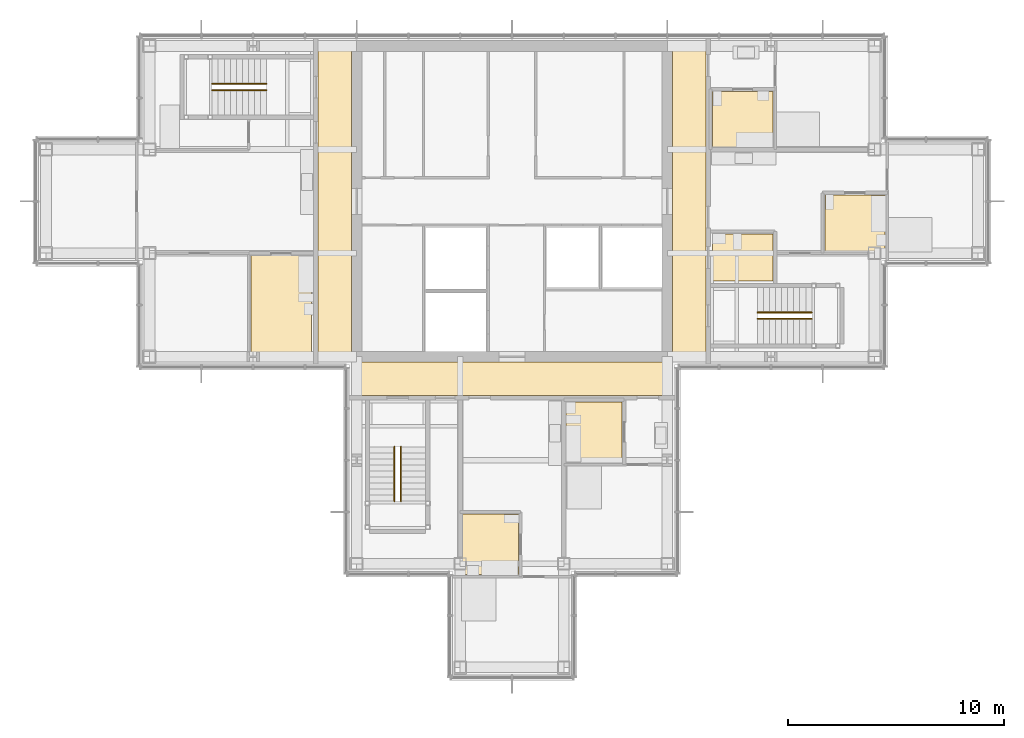
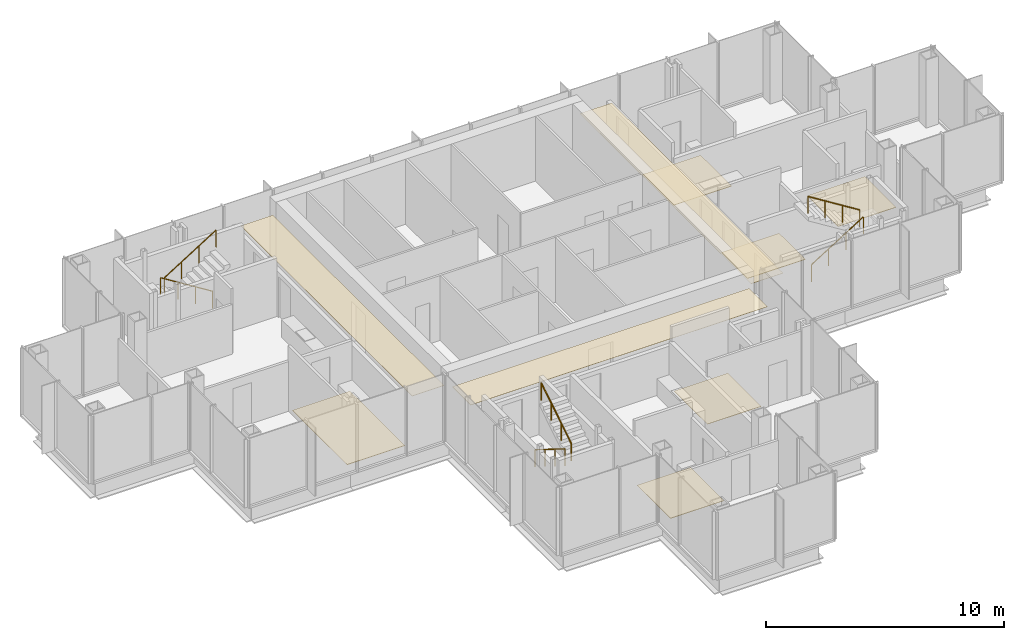
# One storey, part 13 of 15: 9 coverings, 6 railings.
"""IFC4 building model written with IfcOpenShell, lengths in metres."""

from ifc_helpers import new_model, si_unit, direction, frame, origin, origin_2d, place, context, subcontext, project, spatial, polyline, circle, outline, extrude, material, layer, layer_set, type_object, element, save


model = new_model("IFC4")

# Units and contexts
model_context = context("Model", 3, precision=1e-05, world=origin(), true_north=direction((0.0, 1.0)))
body_context = subcontext(model_context, "Body", "Model", "MODEL_VIEW")
ifc_project = project(units=[si_unit("LENGTHUNIT", "METRE"), si_unit("AREAUNIT", "SQUARE_METRE"), si_unit("VOLUMEUNIT", "CUBIC_METRE"), si_unit("PLANEANGLEUNIT", "RADIAN"), si_unit("MASSUNIT", "GRAM", prefix="KILO")], contexts=[model_context])

# Site, building, storey
site_placement = place(None, origin())
site = spatial("IfcSite", under=ifc_project, at=site_placement, CompositionType="ELEMENT")
building_placement = place(site_placement, origin())
building = spatial("IfcBuilding", under=site, at=building_placement, Name="Kvirike Care Tower", CompositionType="ELEMENT")
storey_placement = place(building_placement, frame((0.0, 0.0, 219.0)))
storey = spatial("IfcBuildingStorey", under=building, at=storey_placement, Name="L60", CompositionType="ELEMENT", Elevation=219.0)

# Coverings
ifc_material_1 = material(Name="Perforated metal ceiling tile", Category="aluminium")
ifc_layer_1 = layer(ifc_material_1, 0.014892578125)
ifc_layer_set_1 = layer_set([ifc_layer_1], Name="CORRIDOR CEILING 15")
covering_type_1 = type_object("IfcCoveringType", Name="CORRIDOR CEILING 15", PredefinedType="CEILING", material=ifc_layer_set_1)
covering_1_placement = place(storey_placement, frame((0.0, 0.0, 2.5)))
element("IfcCovering", 1, at=covering_1_placement, inside=storey, type_object=covering_type_1, Name="Corridor ceiling L60", PredefinedType="CEILING", context=body_context, shape_type="SweptSolid", body=[
    extrude(outline(polyline([(12.60009765625, 43.199951171875), (14.14990234375, 43.199951171875), (14.14990234375, 28.800048828125), (12.60009765625, 28.800048828125), (12.60009765625, 43.199951171875)])), origin(), (0.0, 0.0, 1.0), 0.014892578125),
])
covering_2_placement = place(storey_placement, frame((0.0, 0.0, 2.5)))
element("IfcCovering", 2, at=covering_2_placement, inside=storey, type_object=covering_type_1, Name="Corridor ceiling L60", PredefinedType="CEILING", context=body_context, shape_type="SweptSolid", body=[
    extrude(outline(polyline([(14.39990234375, 27.0), (14.39990234375, 28.550048828125), (28.800048828125, 28.550048828125), (28.800048828125, 27.0), (14.39990234375, 27.0)])), origin(), (0.0, 0.0, 1.0), 0.014892578125),
])
covering_3_placement = place(storey_placement, frame((0.0, 0.0, 2.5)))
element("IfcCovering", 3, at=covering_3_placement, inside=storey, type_object=covering_type_1, Name="Corridor ceiling L60", PredefinedType="CEILING", context=body_context, shape_type="SweptSolid", body=[
    extrude(outline(polyline([(30.60009765625, 28.800048828125), (29.050048828125, 28.800048828125), (29.050048828125, 43.199951171875), (30.60009765625, 43.199951171875), (30.60009765625, 28.800048828125)])), origin(), (0.0, 0.0, 1.0), 0.014892578125),
])

# Railings
ifc_material_2 = material(Name="Stainless steel handrail", Category="steel")
railing_type = type_object("IfcRailingType", Name="STAIR HANDRAIL 900", PredefinedType="HANDRAIL", material=ifc_material_2)
railing_1_placement = place(storey_placement, frame((10.219970703125, 41.449951171875, 0.175048828125)))
element("IfcRailing", 4, at=railing_1_placement, inside=storey, type_object=railing_type, Name="Stair 1 handrail L60 flight 1", PredefinedType="HANDRAIL", context=body_context, shape_type="SweptSolid", body=[
    extrude(circle(Radius=0.02490234375, at=origin_2d()), frame((0.0, 0.0, 0.875), z_axis=(-0.848007534815, 0.0, 0.529984170421), x_axis=(0.0, -1.0, 0.0)), (0.0, 0.0, 1.0), 2.9716796875),
    extrude(circle(Radius=0.02001953125, at=origin_2d()), origin(), (0.0, 0.0, 1.0), 0.849853515625),
    extrude(circle(Radius=0.02001953125, at=origin_2d()), frame((-0.840087890625, 0.0, 0.52490234375)), (0.0, 0.0, 1.0), 0.849853515625),
    extrude(circle(Radius=0.02001953125, at=origin_2d()), frame((-1.679931640625, 0.0, 1.050048828125)), (0.0, 0.0, 1.0), 0.849853515625),
    extrude(circle(Radius=0.02001953125, at=origin_2d()), frame((-2.52001953125, 0.0, 1.574951171875)), (0.0, 0.0, 1.0), 0.849853515625),
])
for number, where, name in (
    (5, (7.699951171875, 41.14990234375, 1.925048828125), "Stair 1 handrail L60 flight 2"),
    (6, (32.97998046875, 30.550048828125, 0.175048828125), "Stair 2 handrail L60 flight 1"),
):
    element("IfcRailing", number, at=place(storey_placement, frame(where)), inside=storey, type_object=railing_type, Name=name, PredefinedType="HANDRAIL", context=body_context, shape_type="SweptSolid", body=[
        extrude(circle(Radius=0.02490234375, at=origin_2d()), frame((0.0, 0.0, 0.875), z_axis=(0.848007534815, 0.0, 0.529984170421), x_axis=(0.0, 1.0, 0.0)), (0.0, 0.0, 1.0), 2.9716796875),
        extrude(circle(Radius=0.02001953125, at=origin_2d()), origin(), (0.0, 0.0, 1.0), 0.849853515625),
        extrude(circle(Radius=0.02001953125, at=origin_2d()), frame((0.840087890625, 0.0, 0.52490234375)), (0.0, 0.0, 1.0), 0.849853515625),
        extrude(circle(Radius=0.02001953125, at=origin_2d()), frame((1.679931640625, 0.0, 1.050048828125)), (0.0, 0.0, 1.0), 0.849853515625),
        extrude(circle(Radius=0.02001953125, at=origin_2d()), frame((2.52001953125, 0.0, 1.574951171875)), (0.0, 0.0, 1.0), 0.849853515625),
    ])
railing_2_placement = place(storey_placement, frame((35.5, 30.85009765625, 1.925048828125)))
element("IfcRailing", 7, at=railing_2_placement, inside=storey, type_object=railing_type, Name="Stair 2 handrail L60 flight 2", PredefinedType="HANDRAIL", context=body_context, shape_type="SweptSolid", body=[
    extrude(circle(Radius=0.02490234375, at=origin_2d()), frame((0.0, 0.0, 0.875), z_axis=(-0.848007534815, 0.0, 0.529984170421), x_axis=(0.0, -1.0, 0.0)), (0.0, 0.0, 1.0), 2.9716796875),
    extrude(circle(Radius=0.02001953125, at=origin_2d()), origin(), (0.0, 0.0, 1.0), 0.849853515625),
    extrude(circle(Radius=0.02001953125, at=origin_2d()), frame((-0.840087890625, 0.0, 0.52490234375)), (0.0, 0.0, 1.0), 0.849853515625),
    extrude(circle(Radius=0.02001953125, at=origin_2d()), frame((-1.679931640625, 0.0, 1.050048828125)), (0.0, 0.0, 1.0), 0.849853515625),
    extrude(circle(Radius=0.02001953125, at=origin_2d()), frame((-2.52001953125, 0.0, 1.574951171875)), (0.0, 0.0, 1.0), 0.849853515625),
])
railing_3_placement = place(storey_placement, frame((16.14990234375, 24.6201171875, 0.175048828125)))
element("IfcRailing", 8, at=railing_3_placement, inside=storey, type_object=railing_type, Name="Stair 5 handrail L60 flight 1", PredefinedType="HANDRAIL", context=body_context, shape_type="SweptSolid", body=[
    extrude(circle(Radius=0.02490234375, at=origin_2d()), frame((0.0, 0.0, 0.875), z_axis=(0.0, -0.848007534815, 0.529984170421), x_axis=(1.0, 0.0, 0.0)), (0.0, 0.0, 1.0), 2.9716796875),
    extrude(circle(Radius=0.02001953125, at=origin_2d()), origin(), (0.0, 0.0, 1.0), 0.849853515625),
    extrude(circle(Radius=0.02001953125, at=origin_2d()), frame((0.0, -0.840087890625, 0.52490234375)), (0.0, 0.0, 1.0), 0.849853515625),
    extrude(circle(Radius=0.02001953125, at=origin_2d()), frame((0.0, -1.679931640625, 1.050048828125)), (0.0, 0.0, 1.0), 0.849853515625),
    extrude(circle(Radius=0.02001953125, at=origin_2d()), frame((0.0, -2.52001953125, 1.574951171875)), (0.0, 0.0, 1.0), 0.849853515625),
])
railing_4_placement = place(storey_placement, frame((16.449951171875, 22.10009765625, 1.925048828125)))
element("IfcRailing", 9, at=railing_4_placement, inside=storey, type_object=railing_type, Name="Stair 5 handrail L60 flight 2", PredefinedType="HANDRAIL", context=body_context, shape_type="SweptSolid", body=[
    extrude(circle(Radius=0.02490234375, at=origin_2d()), frame((0.0, 0.0, 0.875), z_axis=(0.0, 0.848007534815, 0.529984170421), x_axis=(-1.0, 0.0, 0.0)), (0.0, 0.0, 1.0), 2.9716796875),
    extrude(circle(Radius=0.02001953125, at=origin_2d()), origin(), (0.0, 0.0, 1.0), 0.849853515625),
    extrude(circle(Radius=0.02001953125, at=origin_2d()), frame((0.0, 0.840087890625, 0.52490234375)), (0.0, 0.0, 1.0), 0.849853515625),
    extrude(circle(Radius=0.02001953125, at=origin_2d()), frame((0.0, 1.679931640625, 1.050048828125)), (0.0, 0.0, 1.0), 0.849853515625),
    extrude(circle(Radius=0.02001953125, at=origin_2d()), frame((0.0, 2.52001953125, 1.574951171875)), (0.0, 0.0, 1.0), 0.849853515625),
])

# Coverings
ifc_material_3 = material(Name="Slip-resistant vinyl safety flooring on screed")
ifc_layer_2 = layer(ifc_material_3, 0.02001953125)
ifc_layer_set_2 = layer_set([ifc_layer_2], Name="WET ROOM FLOOR 20")
covering_type_2 = type_object("IfcCoveringType", Name="WET ROOM FLOOR 20", PredefinedType="FLOORING", material=ifc_layer_set_2)
covering_4_placement = place(storey_placement, origin())
element("IfcCovering", 10, at=covering_4_placement, inside=storey, type_object=covering_type_2, Name="Bathroom floor L60-006", PredefinedType="FLOORING", context=body_context, shape_type="SweptSolid", body=[
    extrude(outline(polyline([(9.5, 33.5), (12.300048828125, 33.5), (12.300048828125, 28.89990234375), (9.5, 28.89990234375), (9.5, 33.5)])), origin(), (0.0, 0.0, 1.0), 0.02001953125),
])
covering_5_placement = place(storey_placement, origin())
element("IfcCovering", 11, at=covering_5_placement, inside=storey, type_object=covering_type_2, Name="Bathroom floor L60-012", PredefinedType="FLOORING", context=body_context, shape_type="SweptSolid", body=[
    extrude(outline(polyline([(19.300048828125, 18.699951171875), (19.300048828125, 21.5), (21.89990234375, 21.5), (21.89990234375, 18.699951171875), (19.300048828125, 18.699951171875)])), origin(), (0.0, 0.0, 1.0), 0.02001953125),
])
covering_6_placement = place(storey_placement, origin())
element("IfcCovering", 12, at=covering_6_placement, inside=storey, type_object=covering_type_2, Name="Bathroom floor L60-015", PredefinedType="FLOORING", context=body_context, shape_type="SweptSolid", body=[
    extrude(outline(polyline([(24.10009765625, 23.89990234375), (24.10009765625, 26.699951171875), (26.699951171875, 26.699951171875), (26.699951171875, 23.89990234375), (24.10009765625, 23.89990234375)])), origin(), (0.0, 0.0, 1.0), 0.02001953125),
])
covering_7_placement = place(storey_placement, origin())
element("IfcCovering", 13, at=covering_7_placement, inside=storey, type_object=covering_type_2, Name="Accessible WC floor L60-021", PredefinedType="FLOORING", context=body_context, shape_type="SweptSolid", body=[
    extrude(outline(polyline([(33.699951171875, 32.300048828125), (30.89990234375, 32.300048828125), (30.89990234375, 34.5), (33.699951171875, 34.5), (33.699951171875, 32.300048828125)])), origin(), (0.0, 0.0, 1.0), 0.02001953125),
])
covering_8_placement = place(storey_placement, origin())
element("IfcCovering", 14, at=covering_8_placement, inside=storey, type_object=covering_type_2, Name="Bathroom floor L60-022", PredefinedType="FLOORING", context=body_context, shape_type="SweptSolid", body=[
    extrude(outline(polyline([(38.89990234375, 33.699951171875), (36.10009765625, 33.699951171875), (36.10009765625, 36.300048828125), (38.89990234375, 36.300048828125), (38.89990234375, 33.699951171875)])), origin(), (0.0, 0.0, 1.0), 0.02001953125),
])
covering_9_placement = place(storey_placement, origin())
element("IfcCovering", 15, at=covering_9_placement, inside=storey, type_object=covering_type_2, Name="Bathroom floor L60-025", PredefinedType="FLOORING", context=body_context, shape_type="SweptSolid", body=[
    extrude(outline(polyline([(33.699951171875, 38.5), (30.89990234375, 38.5), (30.89990234375, 41.10009765625), (33.699951171875, 41.10009765625), (33.699951171875, 38.5)])), origin(), (0.0, 0.0, 1.0), 0.02001953125),
])

save(model, "model.ifc")
